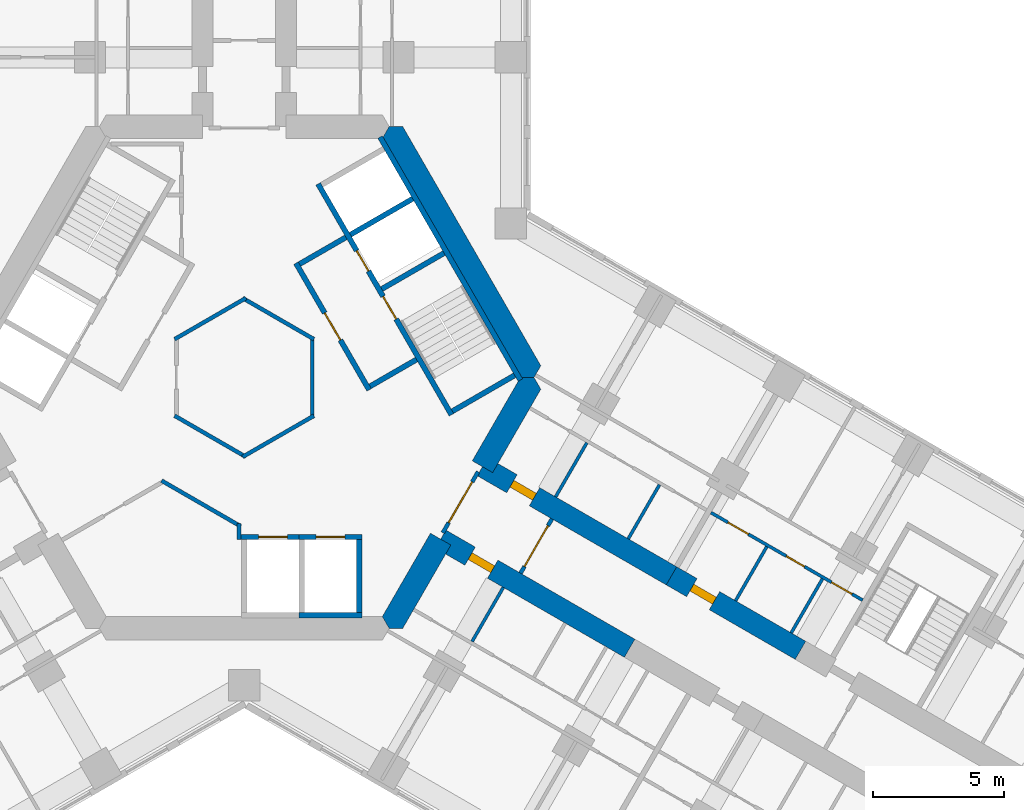
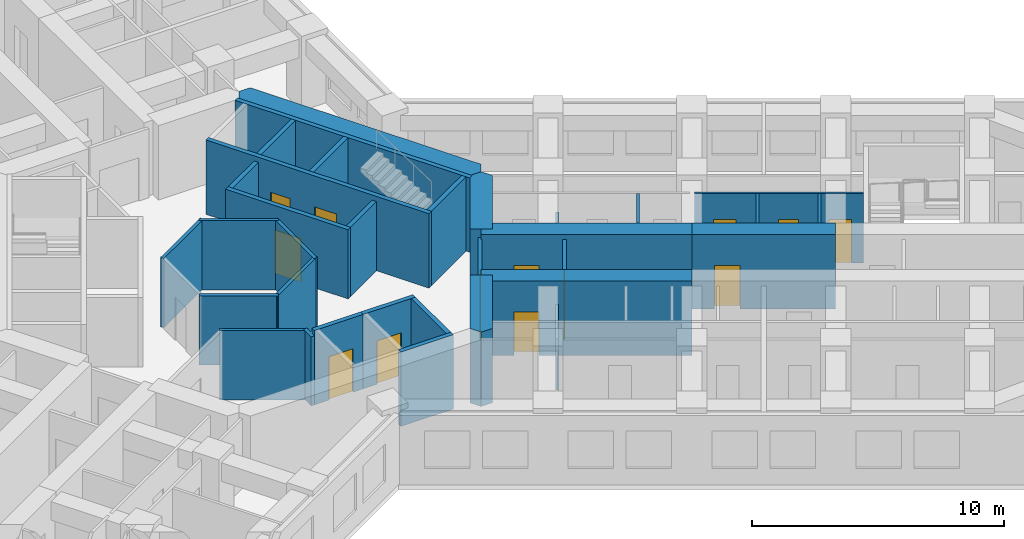
# One storey, part 15 of 20: 33 walls, 13 doors, 13 openings.
"""IFC4 building model written with IfcOpenShell, lengths in metres."""

from ifc_helpers import new_model, si_unit, direction, frame, frame_2d, origin, place, context, subcontext, project, spatial, polyline, rectangle, outline, extrude, material, layer, layer_set, type_object, element, fill, save


model = new_model("IFC4")

# Units and contexts
model_context = context("Model", 3, precision=1e-05, world=origin(), true_north=direction((0.0, 1.0)))
body_context = subcontext(model_context, "Body", "Model", "MODEL_VIEW")
ifc_project = project(units=[si_unit("LENGTHUNIT", "METRE"), si_unit("AREAUNIT", "SQUARE_METRE"), si_unit("VOLUMEUNIT", "CUBIC_METRE"), si_unit("PLANEANGLEUNIT", "RADIAN"), si_unit("MASSUNIT", "GRAM", prefix="KILO")], contexts=[model_context])

# Site, building, storey
site_placement = place(None, origin())
site = spatial("IfcSite", under=ifc_project, at=site_placement, CompositionType="ELEMENT")
building_placement = place(site_placement, origin())
building = spatial("IfcBuilding", under=site, at=building_placement, Name="Kosmar Iwan School Tower", CompositionType="ELEMENT")
storey_placement = place(building_placement, frame((0.0, 0.0, 127.39990234375)))
storey = spatial("IfcBuildingStorey", under=building, at=storey_placement, Name="L31", CompositionType="ELEMENT", Elevation=127.39990234375)

# Walls
ifc_material_1 = material(Name="Gypsum board on steel studs, fire-rated", Category="steel")
ifc_layer_1 = layer(ifc_material_1, 0.14990234375)
ifc_layer_set_1 = layer_set([ifc_layer_1], Name="Core room partition 150")
wall_type_1 = type_object("IfcWallType", Name="Core room partition 150", PredefinedType="PARTITIONING", material=ifc_layer_set_1)
wall_1_placement = place(storey_placement, frame((-3.1650390625, -3.9462890625, 0.0), z_axis=(0.0, 0.0, 1.0), x_axis=(0.866040335699, -0.499974136273, 0.0)))
element("IfcWall", 1, at=wall_1_placement, inside=storey, type_object=wall_type_1, Name="Core room partition L31-CW6", PredefinedType="PARTITIONING", context=body_context, shape_type="SweptSolid", body=[
    extrude(rectangle(XDim=3.498779296875, YDim=0.14990234375, at=frame_2d((1.74951171875, 0.0))), origin(), (0.0, 0.0, 1.0), 3.35009765625),
])
wall_2_placement = place(storey_placement, frame((-0.199951171875, -5.5830078125, 0.0), z_axis=(0.0, 0.0, 1.0), x_axis=(0.0, -1.0, 0.0)))
element("IfcWall", 2, at=wall_2_placement, inside=storey, type_object=wall_type_1, Name="Core room partition L31-CW7", PredefinedType="PARTITIONING", context=body_context, shape_type="SweptSolid", body=[
    extrude(rectangle(XDim=0.616943359375, YDim=0.14990234375, at=frame_2d((0.30859375, 0.0))), origin(), (0.0, 0.0, 1.0), 3.35009765625),
])
for number, where, z_axis, x_axis, name in (
    (3, (2.6650390625, -1.463623046875, 0.0), (0.0, 0.0, 1.0), (-0.866023080072, -0.500004024767, 0.0), "Core room partition L31-CW8"),
    (4, (0.06494140625, -3.039794921875, 0.0), (0.0, 0.0, 1.0), (-0.866023080072, 0.500004024767, 0.0), "Core room partition L31-CW9"),
    (5, (-2.6650390625, 1.463623046875, 0.0), (0.0, 0.0, 1.0), (0.866023080072, 0.500004024767, 0.0), "Core room partition L31-CW11"),
    (6, (-0.06494140625, 3.039794921875, 0.0), (0.0, 0.0, 1.0), (0.866023080072, -0.500004024767, 0.0), "Core room partition L31-CW12"),
    (7, (2.60009765625, 1.576171875, 0.0), (0.0, 0.0, 1.0), (0.0, -1.0, 0.0), "Core room partition L31-CW13"),
):
    element("IfcWall", number, at=place(storey_placement, frame(where, z_axis=z_axis, x_axis=x_axis)), inside=storey, type_object=wall_type_1, Name=name, PredefinedType="PARTITIONING", context=body_context, shape_type="SweptSolid", body=[
        extrude(rectangle(XDim=3.15234375, YDim=0.14990234375, at=frame_2d((1.576171875, 0.0))), origin(), (0.0, 0.0, 1.0), 3.35009765625),
    ])
ifc_material_2 = material(Name="Concrete C50/60", Category="concrete")
ifc_layer_2 = layer(ifc_material_2, 0.89990234375)
ifc_layer_set_2 = layer_set([ifc_layer_2], Name="Core wall 900")
wall_type_2 = type_object("IfcWallType", Name="Core wall 900", PredefinedType="SHEAR", material=ifc_layer_set_2)
wall_3_placement = place(storey_placement, origin())
element("IfcWall", 8, at=wall_3_placement, inside=storey, type_object=wall_type_2, Name="Core wall F030", PredefinedType="SHEAR", context=body_context, shape_type="SweptSolid", body=[
    extrude(outline(polyline([(10.5654296875, 0.0), (11.085205078125, 0.0), (11.344970703125, 0.449951171875), (6.062255859375, 9.60009765625), (5.54248046875, 9.60009765625), (5.28271484375, 9.14990234375), (10.5654296875, 0.0)])), origin(), (0.0, 0.0, 1.0), 3.60009765625),
])
wall_4_placement = place(storey_placement, origin())
element("IfcWall", 9, at=wall_4_placement, inside=storey, type_object=wall_type_2, Name="Core wall F330a", PredefinedType="SHEAR", context=body_context, shape_type="SweptSolid", body=[
    extrude(outline(polyline([(5.54248046875, -9.60009765625), (6.062255859375, -9.60009765625), (7.903564453125, -6.41064453125), (7.1240234375, -5.960693359375), (5.28271484375, -9.14990234375), (5.54248046875, -9.60009765625)])), origin(), (0.0, 0.0, 1.0), 3.60009765625),
])
wall_5_placement = place(storey_placement, origin())
element("IfcWall", 10, at=wall_5_placement, inside=storey, type_object=wall_type_2, Name="Core wall F330b", PredefinedType="SHEAR", context=body_context, shape_type="SweptSolid", body=[
    extrude(outline(polyline([(9.503662109375, -3.639404296875), (11.344970703125, -0.449951171875), (11.085205078125, 0.0), (10.5654296875, 0.0), (8.72412109375, -3.189453125), (9.503662109375, -3.639404296875)])), origin(), (0.0, 0.0, 1.0), 3.60009765625),
])

# Wall, opening, door
ifc_material_3 = material(Name="Concrete C50/60", Category="concrete")
ifc_layer_3 = layer(ifc_material_3, 0.800048828125)
ifc_layer_set_3 = layer_set([ifc_layer_3], Name="Corridor buttress wall 800")
wall_type_3 = type_object("IfcWallType", Name="Corridor buttress wall 800", PredefinedType="SHEAR", material=ifc_layer_set_3)
wall_6_placement = place(storey_placement, frame((9.11376953125, -3.414306640625, 0.0), z_axis=(0.0, 0.0, 1.0), x_axis=(0.866026859388, -0.499997478812, 0.0)))
wall_6 = element("IfcWall", 11, at=wall_6_placement, inside=storey, type_object=wall_type_3, Name="Corridor wall CL", PredefinedType="SHEAR", context=body_context, shape_type="SweptSolid", body=[
    extrude(rectangle(XDim=8.35009765625, YDim=0.800048828125, at=frame_2d((4.175048828125, 0.0))), origin(), (0.0, 0.0, 1.0), 3.60009765625),
])
opening_1_placement = place(wall_6_placement, frame((1.300048828125, 0.0, 0.0)))
opening_1 = element("IfcOpeningElement", 12, at=opening_1_placement, cuts=wall_6, Name="Opening D1", PredefinedType="OPENING", context=body_context, shape_type="SweptSolid", body=[
    extrude(rectangle(XDim=1.0, YDim=2.10009765625, at=frame_2d((0.5, 1.050048828125))), frame((0.0, 0.412109375, 0.0), z_axis=(0.0, -1.0, 0.0), x_axis=(1.0, 0.0, 0.0)), (0.0, 0.0, 1.0), 0.823974609375),
])
ifc_material_4 = material(Name="Timber fire door in steel frame", Category="steel")
door_type_1 = type_object("IfcDoorType", Name="Flat entrance door 1000x2100", OperationType="SINGLE_SWING_LEFT", PredefinedType="DOOR", material=ifc_material_4)
door_1_placement = place(opening_1_placement, origin())
door_1 = element("IfcDoor", 13, at=door_1_placement, inside=storey, type_object=door_type_1, Name="Flat L31-CL1 entrance door", OperationType="SINGLE_SWING_RIGHT", OverallHeight=2.10009765625, OverallWidth=1.0, PredefinedType="DOOR", context=body_context, shape_type="SweptSolid", body=[
    extrude(rectangle(XDim=1.0, YDim=2.10009765625, at=frame_2d((0.5, 1.050048828125))), frame((0.0, 0.14990234375, 0.0), z_axis=(0.0, -1.0, 0.0), x_axis=(1.0, 0.0, 0.0)), (0.0, 0.0, 1.0), 0.300048828125),
])
fill(opening_1, door_1)

wall_7_placement = place(storey_placement, frame((16.34521484375, -7.58935546875, 0.0), z_axis=(0.0, 0.0, 1.0), x_axis=(0.866015111908, -0.50001782563, 0.0)))
wall_7 = element("IfcWall", 14, at=wall_7_placement, inside=storey, type_object=wall_type_3, Name="Corridor wall CL bay 2", PredefinedType="SHEAR", context=body_context, shape_type="SweptSolid", body=[
    extrude(rectangle(XDim=5.699951171875, YDim=0.800048828125, at=frame_2d((2.85009765625, 0.0))), origin(), (0.0, 0.0, 1.0), 3.60009765625),
])
opening_2_placement = place(wall_7_placement, frame((0.89990234375, 0.0, 0.0)))
opening_2 = element("IfcOpeningElement", 15, at=opening_2_placement, cuts=wall_7, Name="Opening D1", PredefinedType="OPENING", context=body_context, shape_type="SweptSolid", body=[
    extrude(rectangle(XDim=1.0, YDim=2.10009765625, at=frame_2d((0.5, 1.050048828125))), frame((0.0, 0.412109375, 0.0), z_axis=(0.0, -1.0, 0.0), x_axis=(1.0, 0.0, 0.0)), (0.0, 0.0, 1.0), 0.823974609375),
])
door_2_placement = place(opening_2_placement, origin())
door_2 = element("IfcDoor", 16, at=door_2_placement, inside=storey, type_object=door_type_1, Name="Flat L31-CL2 entrance door", OperationType="SINGLE_SWING_RIGHT", OverallHeight=2.10009765625, OverallWidth=1.0, PredefinedType="DOOR", context=body_context, shape_type="SweptSolid", body=[
    extrude(rectangle(XDim=1.0, YDim=2.10009765625, at=frame_2d((0.5, 1.050048828125))), frame((0.0, 0.14990234375, 0.0), z_axis=(0.0, -1.0, 0.0), x_axis=(1.0, 0.0, 0.0)), (0.0, 0.0, 1.0), 0.300048828125),
])
fill(opening_2, door_2)

wall_8_placement = place(storey_placement, frame((7.513916015625, -6.185546875, 0.0), z_axis=(0.0, 0.0, 1.0), x_axis=(0.866019549707, -0.500010139422, 0.0)))
wall_8 = element("IfcWall", 17, at=wall_8_placement, inside=storey, type_object=wall_type_3, Name="Corridor wall CR", PredefinedType="SHEAR", context=body_context, shape_type="SweptSolid", body=[
    extrude(rectangle(XDim=8.349853515625, YDim=0.800048828125, at=frame_2d((4.1748046875, 0.0))), origin(), (0.0, 0.0, 1.0), 3.60009765625),
])
opening_3_placement = place(wall_8_placement, frame((1.300048828125, 0.0, 0.0)))
opening_3 = element("IfcOpeningElement", 18, at=opening_3_placement, cuts=wall_8, Name="Opening D1", PredefinedType="OPENING", context=body_context, shape_type="SweptSolid", body=[
    extrude(rectangle(XDim=1.0, YDim=2.10009765625, at=frame_2d((0.5, 1.050048828125))), frame((0.0, 0.412109375, 0.0), z_axis=(0.0, -1.0, 0.0), x_axis=(1.0, 0.0, 0.0)), (0.0, 0.0, 1.0), 0.823974609375),
])
door_3_placement = place(opening_3_placement, origin())
door_3 = element("IfcDoor", 19, at=door_3_placement, inside=storey, type_object=door_type_1, Name="Flat L31-CR1 entrance door", OperationType="SINGLE_SWING_RIGHT", OverallHeight=2.10009765625, OverallWidth=1.0, PredefinedType="DOOR", context=body_context, shape_type="SweptSolid", body=[
    extrude(rectangle(XDim=1.0, YDim=2.10009765625, at=frame_2d((0.5, 1.050048828125))), frame((0.0, 0.14990234375, 0.0), z_axis=(0.0, -1.0, 0.0), x_axis=(1.0, 0.0, 0.0)), (0.0, 0.0, 1.0), 0.300048828125),
])
fill(opening_3, door_3)

ifc_material_5 = material(Name="Gypsum board on steel studs, fire-rated", Category="steel")
ifc_layer_4 = layer(ifc_material_5, 0.14990234375)
ifc_layer_set_4 = layer_set([ifc_layer_4], Name="Corridor end wall 150")
wall_type_4 = type_object("IfcWallType", Name="Corridor end wall 150", PredefinedType="PARTITIONING", material=ifc_layer_set_4)
wall_9_placement = place(storey_placement, frame((10.57177734375, -7.4892578125, 0.0), z_axis=(0.0, 0.0, 1.0), x_axis=(0.499957262057, 0.866050077142, 0.0)))
wall_9 = element("IfcWall", 20, at=wall_9_placement, inside=storey, type_object=wall_type_4, Name="Partition L31-C-HW", PredefinedType="PARTITIONING", context=body_context, shape_type="SweptSolid", body=[
    extrude(rectangle(XDim=2.400146484375, YDim=0.14990234375, at=frame_2d((1.2001953125, 0.0))), origin(), (0.0, 0.0, 1.0), 3.35009765625),
])
opening_4_placement = place(wall_9_placement, frame((0.300048828125, 0.0, 0.0)))
opening_4 = element("IfcOpeningElement", 21, at=opening_4_placement, cuts=wall_9, Name="Opening D9", PredefinedType="OPENING", context=body_context, shape_type="SweptSolid", body=[
    extrude(rectangle(XDim=1.800048828125, YDim=2.10009765625, at=frame_2d((0.89990234375, 1.050048828125))), frame((0.0, 0.0869140625, 0.0), z_axis=(0.0, -1.0, 0.0), x_axis=(1.0, 0.0, 0.0)), (0.0, 0.0, 1.0), 0.173828125),
])
ifc_material_6 = material(Name="Steel framed glazed smoke door", Category="steel")
door_type_2 = type_object("IfcDoorType", Name="Corridor smoke door pair 1800x2100", OperationType="DOUBLE_DOOR_DOUBLE_SWING", PredefinedType="DOOR", material=ifc_material_6)
door_4_placement = place(opening_4_placement, origin())
door_4 = element("IfcDoor", 22, at=door_4_placement, inside=storey, type_object=door_type_2, Name="Hashti vestibule smoke doors L31-C", OperationType="DOUBLE_DOOR_DOUBLE_SWING", OverallHeight=2.10009765625, OverallWidth=1.800048828125, PredefinedType="DOOR", context=body_context, shape_type="SweptSolid", body=[
    extrude(rectangle(XDim=1.800048828125, YDim=2.10009765625, at=frame_2d((0.89990234375, 1.050048828125))), frame((0.0, 0.02490234375, 0.0), z_axis=(0.0, -1.0, 0.0), x_axis=(1.0, 0.0, 0.0)), (0.0, 0.0, 1.0), 0.050048828125),
])
fill(opening_4, door_4)

ifc_material_7 = material(Name="Steel framed glazed screen", Category="steel")
ifc_layer_5 = layer(ifc_material_7, 0.14990234375)
ifc_layer_set_5 = layer_set([ifc_layer_5], Name="Corridor screen wall 150")
wall_type_5 = type_object("IfcWallType", Name="Corridor screen wall 150", PredefinedType="PARTITIONING", material=ifc_layer_set_5)
wall_10_placement = place(storey_placement, frame((7.595458984375, -5.944091796875, 0.0), z_axis=(0.0, 0.0, 1.0), x_axis=(0.500048589285, 0.86599734893, 0.0)))
wall_10 = element("IfcWall", 23, at=wall_10_placement, inside=storey, type_object=wall_type_5, Name="Corridor screen C L31", PredefinedType="PARTITIONING", context=body_context, shape_type="SweptSolid", body=[
    extrude(rectangle(XDim=2.699951171875, YDim=0.14990234375, at=frame_2d((1.35009765625, 0.0))), origin(), (0.0, 0.0, 1.0), 3.35009765625),
])
opening_5_placement = place(wall_10_placement, frame((0.449951171875, 0.0, 0.0)))
opening_5 = element("IfcOpeningElement", 24, at=opening_5_placement, cuts=wall_10, Name="Opening D9", PredefinedType="OPENING", context=body_context, shape_type="SweptSolid", body=[
    extrude(rectangle(XDim=1.800048828125, YDim=2.10009765625, at=frame_2d((0.89990234375, 1.050048828125))), frame((0.0, 0.0869140625, 0.0), z_axis=(0.0, -1.0, 0.0), x_axis=(1.0, 0.0, 0.0)), (0.0, 0.0, 1.0), 0.173828125),
])
door_5_placement = place(opening_5_placement, origin())
door_5 = element("IfcDoor", 25, at=door_5_placement, inside=storey, type_object=door_type_2, Name="Corridor doors C L31", OperationType="DOUBLE_DOOR_DOUBLE_SWING", OverallHeight=2.10009765625, OverallWidth=1.800048828125, PredefinedType="DOOR", context=body_context, shape_type="SweptSolid", body=[
    extrude(rectangle(XDim=1.800048828125, YDim=2.10009765625, at=frame_2d((0.89990234375, 1.050048828125))), frame((0.0, 0.02490234375, 0.0), z_axis=(0.0, -1.0, 0.0), x_axis=(1.0, 0.0, 0.0)), (0.0, 0.0, 1.0), 0.050048828125),
])
fill(opening_5, door_5)

# Walls
ifc_material_8 = material(Name="Gypsum board on steel studs", Category="steel")
ifc_layer_6 = layer(ifc_material_8, 0.1201171875)
ifc_layer_set_6 = layer_set([ifc_layer_6], Name="Dwelling partition 120")
wall_type_6 = type_object("IfcWallType", Name="Dwelling partition 120", PredefinedType="PARTITIONING", material=ifc_layer_set_6)
wall_11_placement = place(storey_placement, frame((11.911865234375, -4.56787109375, 0.0), z_axis=(0.0, 0.0, 1.0), x_axis=(0.500017192868, 0.86601547725, 0.0)))
element("IfcWall", 26, at=wall_11_placement, inside=storey, type_object=wall_type_6, Name="Partition L31-CL1-Y1", PredefinedType="PARTITIONING", context=body_context, shape_type="SweptSolid", body=[
    extrude(rectangle(XDim=2.39013671875, YDim=0.1201171875, at=frame_2d((1.195068359375, 0.0))), origin(), (0.0, 0.0, 1.0), 2.4501953125),
])
wall_12_placement = place(storey_placement, frame((14.69189453125, -6.1728515625, 0.0), z_axis=(0.0, 0.0, 1.0), x_axis=(0.500017192868, 0.86601547725, 0.0)))
element("IfcWall", 27, at=wall_12_placement, inside=storey, type_object=wall_type_6, Name="Partition L31-CL1-Y2", PredefinedType="PARTITIONING", context=body_context, shape_type="SweptSolid", body=[
    extrude(rectangle(XDim=2.39013671875, YDim=0.1201171875, at=frame_2d((1.195068359375, 0.0))), origin(), (0.0, 0.0, 1.0), 3.35009765625),
])

# Wall, openings, doors
wall_13_placement = place(storey_placement, frame((17.856689453125, -5.171142578125, 0.0), z_axis=(0.0, 0.0, 1.0), x_axis=(0.866023571113, -0.500003174267, 0.0)))
wall_13 = element("IfcWall", 28, at=wall_13_placement, inside=storey, type_object=wall_type_6, Name="Partition L31-CL2-W1", PredefinedType="PARTITIONING", context=body_context, shape_type="SweptSolid", body=[
    extrude(rectangle(XDim=6.7001953125, YDim=0.1201171875, at=frame_2d((3.35009765625, 0.0))), origin(), (0.0, 0.0, 1.0), 3.35009765625),
])
opening_6_placement = place(wall_13_placement, frame((0.75, 0.0, 0.0)))
opening_6 = element("IfcOpeningElement", 29, at=opening_6_placement, cuts=wall_13, Name="Opening D2", PredefinedType="OPENING", context=body_context, shape_type="SweptSolid", body=[
    extrude(rectangle(XDim=0.89990234375, YDim=2.10009765625, at=frame_2d((0.449951171875, 1.050048828125))), frame((0.0, 0.072021484375, 0.0), z_axis=(0.0, -1.0, 0.0), x_axis=(1.0, 0.0, 0.0)), (0.0, 0.0, 1.0), 0.14404296875),
])
opening_7_placement = place(wall_13_placement, frame((3.330078125, 0.0, 0.0)))
opening_7 = element("IfcOpeningElement", 30, at=opening_7_placement, cuts=wall_13, Name="Opening D3", PredefinedType="OPENING", context=body_context, shape_type="SweptSolid", body=[
    extrude(rectangle(XDim=0.800048828125, YDim=2.10009765625, at=frame_2d((0.39990234375, 1.050048828125))), frame((0.0, 0.072021484375, 0.0), z_axis=(0.0, -1.0, 0.0), x_axis=(1.0, 0.0, 0.0)), (0.0, 0.0, 1.0), 0.14404296875),
])
opening_8_placement = place(wall_13_placement, frame((5.330078125, 0.0, 0.0)))
opening_8 = element("IfcOpeningElement", 31, at=opening_8_placement, cuts=wall_13, Name="Opening D2", PredefinedType="OPENING", context=body_context, shape_type="SweptSolid", body=[
    extrude(rectangle(XDim=0.89990234375, YDim=2.10009765625, at=frame_2d((0.449951171875, 1.050048828125))), frame((0.0, 0.072021484375, 0.0), z_axis=(0.0, -1.0, 0.0), x_axis=(1.0, 0.0, 0.0)), (0.0, 0.0, 1.0), 0.14404296875),
])
ifc_material_9 = material(Name="Timber door in timber frame", Category="wood")
door_type_3 = type_object("IfcDoorType", Name="Internal door 900x2100", OperationType="SINGLE_SWING_LEFT", PredefinedType="DOOR", material=ifc_material_9)
door_6_placement = place(opening_6_placement, origin())
door_6 = element("IfcDoor", 32, at=door_6_placement, inside=storey, type_object=door_type_3, Name="Entrance hall door L31-CL2-S1", OperationType="SINGLE_SWING_LEFT", OverallHeight=2.10009765625, OverallWidth=0.89990234375, PredefinedType="DOOR", context=body_context, shape_type="SweptSolid", body=[
    extrude(rectangle(XDim=0.89990234375, YDim=2.10009765625, at=frame_2d((0.449951171875, 1.050048828125))), frame((0.0, 0.02490234375, 0.0), z_axis=(0.0, -1.0, 0.0), x_axis=(1.0, 0.0, 0.0)), (0.0, 0.0, 1.0), 0.050048828125),
])
fill(opening_6, door_6)
door_7_placement = place(opening_8_placement, frame((0.89990234375, 0.0, 0.0), z_axis=(0.0, 0.0, 1.0), x_axis=(-1.0, 0.0, 0.0)))
door_7 = element("IfcDoor", 33, at=door_7_placement, inside=storey, type_object=door_type_3, Name="Pantry door L31-CL2-S3", OperationType="SINGLE_SWING_LEFT", OverallHeight=2.10009765625, OverallWidth=0.89990234375, PredefinedType="DOOR", context=body_context, shape_type="SweptSolid", body=[
    extrude(rectangle(XDim=0.89990234375, YDim=2.10009765625, at=frame_2d((0.449951171875, 1.050048828125))), frame((0.0, 0.02490234375, 0.0), z_axis=(0.0, -1.0, 0.0), x_axis=(1.0, 0.0, 0.0)), (0.0, 0.0, 1.0), 0.050048828125),
])
fill(opening_8, door_7)
ifc_material_10 = material(Name="Timber door in timber frame", Category="wood")
door_type_4 = type_object("IfcDoorType", Name="Sanitary room door 800x2100", OperationType="SINGLE_SWING_LEFT", PredefinedType="DOOR", material=ifc_material_10)
door_8_placement = place(opening_7_placement, origin())
door_8 = element("IfcDoor", 34, at=door_8_placement, inside=storey, type_object=door_type_4, Name="Bathroom door L31-CL2-S2", OperationType="SINGLE_SWING_RIGHT", OverallHeight=2.10009765625, OverallWidth=0.800048828125, PredefinedType="DOOR", context=body_context, shape_type="SweptSolid", body=[
    extrude(rectangle(XDim=0.800048828125, YDim=2.10009765625, at=frame_2d((0.39990234375, 1.050048828125))), frame((0.0, 0.02490234375, 0.0), z_axis=(0.0, -1.0, 0.0), x_axis=(1.0, 0.0, 0.0)), (0.0, 0.0, 1.0), 0.050048828125),
])
fill(opening_7, door_8)

# Walls
for number, where, z_axis, x_axis, name in (
    (35, (18.796875, -8.54296875, 0.0), (0.0, 0.0, 1.0), (0.500017192868, 0.86601547725, 0.0), "Partition L31-CL2-Y1"),
    (36, (20.92724609375, -9.77294921875, 0.0), (0.0, 0.0, 1.0), (0.500017192868, 0.86601547725, 0.0), "Partition L31-CL2-Y2"),
):
    element("IfcWall", number, at=place(storey_placement, frame(where, z_axis=z_axis, x_axis=x_axis)), inside=storey, type_object=wall_type_6, Name=name, PredefinedType="PARTITIONING", context=body_context, shape_type="SweptSolid", body=[
        extrude(rectangle(XDim=2.39013671875, YDim=0.1201171875, at=frame_2d((1.195068359375, 0.0))), origin(), (0.0, 0.0, 1.0), 3.35009765625),
    ])
wall_14_placement = place(storey_placement, frame((9.911865234375, -8.031982421875, 0.0), z_axis=(0.0, 0.0, 1.0), x_axis=(-0.500017192868, -0.86601547725, 0.0)))
element("IfcWall", 37, at=wall_14_placement, inside=storey, type_object=wall_type_6, Name="Partition L31-CR1-Y1", PredefinedType="PARTITIONING", context=body_context, shape_type="SweptSolid", body=[
    extrude(rectangle(XDim=2.39013671875, YDim=0.1201171875, at=frame_2d((1.195068359375, 0.0))), origin(), (0.0, 0.0, 1.0), 2.4501953125),
])

# Wall, opening, door
ifc_material_11 = material(Name="Concrete block masonry", Category="masonry")
ifc_layer_7 = layer(ifc_material_11, 0.199951171875)
ifc_layer_set_7 = layer_set([ifc_layer_7], Name="Fire lobby wall 200")
wall_type_7 = type_object("IfcWallType", Name="Fire lobby wall 200", PredefinedType="PARTITIONING", material=ifc_layer_set_7)
wall_15_placement = place(storey_placement, frame((4.777587890625, -0.474853515625, 0.0), z_axis=(0.0, 0.0, 1.0), x_axis=(-0.500016814911, 0.866015695474, 0.0)))
wall_15 = element("IfcWall", 38, at=wall_15_placement, inside=storey, type_object=wall_type_7, Name="Firefighting lobby wall ST1", PredefinedType="PARTITIONING", context=body_context, shape_type="SweptSolid", body=[
    extrude(rectangle(XDim=5.599853515625, YDim=0.199951171875, at=frame_2d((2.7998046875, 0.0))), origin(), (0.0, 0.0, 1.0), 3.35009765625),
])
opening_9_placement = place(wall_15_placement, frame((2.199951171875, 0.0, 0.0)))
opening_9 = element("IfcOpeningElement", 39, at=opening_9_placement, cuts=wall_15, Name="Opening D7", PredefinedType="OPENING", context=body_context, shape_type="SweptSolid", body=[
    extrude(rectangle(XDim=1.199951171875, YDim=2.10009765625, at=frame_2d((0.60009765625, 1.050048828125))), frame((0.0, 0.112060546875, 0.0), z_axis=(0.0, -1.0, 0.0), x_axis=(1.0, 0.0, 0.0)), (0.0, 0.0, 1.0), 0.223876953125),
])
ifc_material_12 = material(Name="Steel fire door", Category="steel")
door_type_5 = type_object("IfcDoorType", Name="Fire lobby door 1200x2100", OperationType="SINGLE_SWING_LEFT", PredefinedType="DOOR", material=ifc_material_12)
door_9_placement = place(opening_9_placement, frame((1.199951171875, 0.0, 0.0), z_axis=(0.0, 0.0, 1.0), x_axis=(-1.0, 0.0, 0.0)))
door_9 = element("IfcDoor", 40, at=door_9_placement, inside=storey, type_object=door_type_5, Name="Firefighting lobby door ST1 L31", OperationType="SINGLE_SWING_RIGHT", OverallHeight=2.10009765625, OverallWidth=1.199951171875, PredefinedType="DOOR", context=body_context, shape_type="SweptSolid", body=[
    extrude(rectangle(XDim=1.199951171875, YDim=2.10009765625, at=frame_2d((0.60009765625, 1.050048828125))), frame((0.0, 0.02490234375, 0.0), z_axis=(0.0, -1.0, 0.0), x_axis=(1.0, 0.0, 0.0)), (0.0, 0.0, 1.0), 0.050048828125),
])
fill(opening_9, door_9)

# Walls
wall_16_placement = place(storey_placement, frame((4.814208984375, -0.33837890625, 0.0), z_axis=(0.0, 0.0, 1.0), x_axis=(0.865969381856, 0.500097020274, 0.0)))
element("IfcWall", 41, at=wall_16_placement, inside=storey, type_object=wall_type_7, Name="Firefighting lobby wall ST1", PredefinedType="PARTITIONING", context=body_context, shape_type="SweptSolid", body=[
    extrude(rectangle(XDim=2.0498046875, YDim=0.199951171875, at=frame_2d((1.02490234375, 0.0))), origin(), (0.0, 0.0, 1.0), 3.35009765625),
])
wall_17_placement = place(storey_placement, frame((2.114013671875, 4.33837890625, 0.0), z_axis=(0.0, 0.0, 1.0), x_axis=(0.866050731258, 0.499956128963, 0.0)))
element("IfcWall", 42, at=wall_17_placement, inside=storey, type_object=wall_type_7, Name="Firefighting lobby wall ST1", PredefinedType="PARTITIONING", context=body_context, shape_type="SweptSolid", body=[
    extrude(rectangle(XDim=2.050048828125, YDim=0.199951171875, at=frame_2d((1.02490234375, 0.0))), origin(), (0.0, 0.0, 1.0), 3.35009765625),
])

# Wall, openings, doors
ifc_material_13 = material(Name="Concrete C50/60", Category="concrete")
ifc_layer_8 = layer(ifc_material_13, 0.199951171875)
ifc_layer_set_8 = layer_set([ifc_layer_8], Name="Lift shaft wall 200")
wall_type_8 = type_object("IfcWallType", Name="Lift shaft wall 200", PredefinedType="SHEAR", material=ifc_layer_set_8)
wall_18_placement = place(storey_placement, frame((7.926025390625, -1.42822265625, 0.0), z_axis=(0.0, 0.0, 1.0), x_axis=(-0.499998023675, 0.866026544813, 0.0)))
wall_18 = element("IfcWall", 43, at=wall_18_placement, inside=storey, type_object=wall_type_8, Name="Lift and stair front wall AC", PredefinedType="SHEAR", context=body_context, shape_type="SweptSolid", body=[
    extrude(rectangle(XDim=10.19970703125, YDim=0.199951171875, at=frame_2d((5.099853515625, 0.0))), origin(), (0.0, 0.0, 1.0), 3.60009765625),
])
opening_10_placement = place(wall_18_placement, frame((6.35009765625, 0.0, 0.0)))
opening_10 = element("IfcOpeningElement", 44, at=opening_10_placement, cuts=wall_18, Name="Opening LD2", PredefinedType="OPENING", context=body_context, shape_type="SweptSolid", body=[
    extrude(rectangle(XDim=0.89990234375, YDim=2.10009765625, at=frame_2d((0.449951171875, 1.050048828125))), frame((0.0, 0.112060546875, 0.0), z_axis=(0.0, -1.0, 0.0), x_axis=(1.0, 0.0, 0.0)), (0.0, 0.0, 1.0), 0.223876953125),
])
opening_11_placement = place(wall_18_placement, frame((4.22998046875, 0.0, 0.0)))
opening_11 = element("IfcOpeningElement", 45, at=opening_11_placement, cuts=wall_18, Name="Opening D6", PredefinedType="OPENING", context=body_context, shape_type="SweptSolid", body=[
    extrude(rectangle(XDim=1.0, YDim=2.10009765625, at=frame_2d((0.5, 1.050048828125))), frame((0.0, 0.112060546875, 0.0), z_axis=(0.0, -1.0, 0.0), x_axis=(1.0, 0.0, 0.0)), (0.0, 0.0, 1.0), 0.223876953125),
])
ifc_material_14 = material(Name="Stainless steel sliding lift door", Category="steel")
door_type_6 = type_object("IfcDoorType", Name="Firefighting lift landing door 900x2100", OperationType="SLIDING_TO_LEFT", PredefinedType="DOOR", material=ifc_material_14)
door_10_placement = place(opening_10_placement, origin())
door_10 = element("IfcDoor", 46, at=door_10_placement, inside=storey, type_object=door_type_6, Name="Lift FF1 landing door L31", OperationType="SLIDING_TO_LEFT", OverallHeight=2.10009765625, OverallWidth=0.89990234375, PredefinedType="DOOR", context=body_context, shape_type="SweptSolid", body=[
    extrude(rectangle(XDim=0.89990234375, YDim=2.10009765625, at=frame_2d((0.449951171875, 1.050048828125))), frame((0.0, 0.02490234375, 0.0), z_axis=(0.0, -1.0, 0.0), x_axis=(1.0, 0.0, 0.0)), (0.0, 0.0, 1.0), 0.050048828125),
])
fill(opening_10, door_10)
ifc_material_15 = material(Name="Steel fire door", Category="steel")
door_type_7 = type_object("IfcDoorType", Name="Stair door 1000x2100", OperationType="SINGLE_SWING_LEFT", PredefinedType="DOOR", material=ifc_material_15)
door_11_placement = place(opening_11_placement, origin())
door_11 = element("IfcDoor", 47, at=door_11_placement, inside=storey, type_object=door_type_7, Name="Stair ST1 door L31", OperationType="SINGLE_SWING_LEFT", OverallHeight=2.10009765625, OverallWidth=1.0, PredefinedType="DOOR", context=body_context, shape_type="SweptSolid", body=[
    extrude(rectangle(XDim=1.0, YDim=2.10009765625, at=frame_2d((0.5, 1.050048828125))), frame((0.0, 0.02490234375, 0.0), z_axis=(0.0, -1.0, 0.0), x_axis=(1.0, 0.0, 0.0)), (0.0, 0.0, 1.0), 0.050048828125),
])
fill(opening_11, door_11)

# Walls
wall_19_placement = place(storey_placement, frame((10.5654296875, -0.10009765625, 0.0), z_axis=(0.0, 0.0, 1.0), x_axis=(-0.499999935134, 0.866025441235, 0.0)))
element("IfcWall", 48, at=wall_19_placement, inside=storey, type_object=wall_type_8, Name="Lift and stair back wall AC", PredefinedType="SHEAR", context=body_context, shape_type="SweptSolid", body=[
    extrude(rectangle(XDim=10.73876953125, YDim=0.199951171875, at=frame_2d((5.369384765625, 0.0))), origin(), (0.0, 0.0, 1.0), 3.60009765625),
])
wall_20_placement = place(storey_placement, frame((4.062744140625, 5.46337890625, 0.0), z_axis=(0.0, 0.0, 1.0), x_axis=(0.866027397988, 0.499996545922, 0.0)))
element("IfcWall", 49, at=wall_20_placement, inside=storey, type_object=wall_type_8, Name="Lift shaft wall AC 1", PredefinedType="SHEAR", context=body_context, shape_type="SweptSolid", body=[
    extrude(rectangle(XDim=2.75, YDim=0.199951171875, at=frame_2d((1.375, 0.0))), origin(), (0.0, 0.0, 1.0), 3.60009765625),
])

# Wall, opening, door
wall_21_placement = place(storey_placement, frame((-0.125, -6.10009765625, 0.0), z_axis=(0.0, 0.0, 1.0), x_axis=(1.0, 0.0, 0.0)))
wall_21 = element("IfcWall", 50, at=wall_21_placement, inside=storey, type_object=wall_type_8, Name="Lift and stair front wall BC", PredefinedType="SHEAR", context=body_context, shape_type="SweptSolid", body=[
    extrude(rectangle(XDim=2.22509765625, YDim=0.199951171875, at=frame_2d((1.112548828125, 0.0))), origin(), (0.0, 0.0, 1.0), 3.60009765625),
])
opening_12_placement = place(wall_21_placement, frame((0.675048828125, 0.0, 0.0)))
opening_12 = element("IfcOpeningElement", 51, at=opening_12_placement, cuts=wall_21, Name="Opening LD1", PredefinedType="OPENING", context=body_context, shape_type="SweptSolid", body=[
    extrude(rectangle(XDim=1.10009765625, YDim=2.10009765625, at=frame_2d((0.550048828125, 1.050048828125))), frame((0.0, 0.112060546875, 0.0), z_axis=(0.0, -1.0, 0.0), x_axis=(1.0, 0.0, 0.0)), (0.0, 0.0, 1.0), 0.223876953125),
])
ifc_material_16 = material(Name="Stainless steel sliding lift door", Category="steel")
door_type_8 = type_object("IfcDoorType", Name="Lift landing door 1100x2100", OperationType="SLIDING_TO_LEFT", PredefinedType="DOOR", material=ifc_material_16)
door_12_placement = place(opening_12_placement, origin())
door_12 = element("IfcDoor", 52, at=door_12_placement, inside=storey, type_object=door_type_8, Name="Lift PL3 landing door L31", OperationType="SLIDING_TO_LEFT", OverallHeight=2.10009765625, OverallWidth=1.10009765625, PredefinedType="DOOR", context=body_context, shape_type="SweptSolid", body=[
    extrude(rectangle(XDim=1.10009765625, YDim=2.10009765625, at=frame_2d((0.550048828125, 1.050048828125))), frame((0.0, 0.02490234375, 0.0), z_axis=(0.0, -1.0, 0.0), x_axis=(1.0, 0.0, 0.0)), (0.0, 0.0, 1.0), 0.050048828125),
])
fill(opening_12, door_12)

wall_22_placement = place(storey_placement, frame((2.10009765625, -6.10009765625, 0.0), z_axis=(0.0, 0.0, 1.0), x_axis=(1.0, 0.0, 0.0)))
wall_22 = element("IfcWall", 53, at=wall_22_placement, inside=storey, type_object=wall_type_8, Name="Lift and stair front wall BC", PredefinedType="SHEAR", context=body_context, shape_type="SweptSolid", body=[
    extrude(rectangle(XDim=2.39990234375, YDim=0.199951171875, at=frame_2d((1.199951171875, 0.0))), origin(), (0.0, 0.0, 1.0), 3.60009765625),
])
opening_13_placement = place(wall_22_placement, frame((0.64990234375, 0.0, 0.0)))
opening_13 = element("IfcOpeningElement", 54, at=opening_13_placement, cuts=wall_22, Name="Opening LD1", PredefinedType="OPENING", context=body_context, shape_type="SweptSolid", body=[
    extrude(rectangle(XDim=1.10009765625, YDim=2.10009765625, at=frame_2d((0.550048828125, 1.050048828125))), frame((0.0, 0.112060546875, 0.0), z_axis=(0.0, -1.0, 0.0), x_axis=(1.0, 0.0, 0.0)), (0.0, 0.0, 1.0), 0.223876953125),
])
door_13_placement = place(opening_13_placement, origin())
door_13 = element("IfcDoor", 55, at=door_13_placement, inside=storey, type_object=door_type_8, Name="Lift PL4 landing door L31", OperationType="SLIDING_TO_LEFT", OverallHeight=2.10009765625, OverallWidth=1.10009765625, PredefinedType="DOOR", context=body_context, shape_type="SweptSolid", body=[
    extrude(rectangle(XDim=1.10009765625, YDim=2.10009765625, at=frame_2d((0.550048828125, 1.050048828125))), frame((0.0, 0.02490234375, 0.0), z_axis=(0.0, -1.0, 0.0), x_axis=(1.0, 0.0, 0.0)), (0.0, 0.0, 1.0), 0.050048828125),
])
fill(opening_13, door_13)

# Walls
wall_23_placement = place(storey_placement, frame((2.10009765625, -9.10009765625, 0.0), z_axis=(0.0, 0.0, 1.0), x_axis=(1.0, 0.0, 0.0)))
element("IfcWall", 56, at=wall_23_placement, inside=storey, type_object=wall_type_8, Name="Lift and stair back wall BC", PredefinedType="SHEAR", context=body_context, shape_type="SweptSolid", body=[
    extrude(rectangle(XDim=2.39990234375, YDim=0.199951171875, at=frame_2d((1.199951171875, 0.0))), origin(), (0.0, 0.0, 1.0), 3.60009765625),
])
wall_24_placement = place(storey_placement, frame((4.39990234375, -6.199951171875, 0.0), z_axis=(0.0, 0.0, 1.0), x_axis=(0.0, -1.0, 0.0)))
element("IfcWall", 57, at=wall_24_placement, inside=storey, type_object=wall_type_8, Name="Lift shaft wall BC 2", PredefinedType="SHEAR", context=body_context, shape_type="SweptSolid", body=[
    extrude(rectangle(XDim=2.800048828125, YDim=0.199951171875, at=frame_2d((1.39990234375, 0.0))), origin(), (0.0, 0.0, 1.0), 3.60009765625),
])
ifc_material_17 = material(Name="Concrete C50/60", Category="concrete")
ifc_layer_9 = layer(ifc_material_17, 0.199951171875)
ifc_layer_set_9 = layer_set([ifc_layer_9], Name="Stair enclosure wall 200")
wall_type_9 = type_object("IfcWallType", Name="Stair enclosure wall 200", PredefinedType="SHEAR", material=ifc_layer_set_9)
for number, where, z_axis, x_axis, name in (
    (58, (7.962646484375, -1.291748046875, 0.0), (0.0, 0.0, 1.0), (0.866027397988, 0.499996545922, 0.0), "Stair ST1 wall"),
    (59, (5.2626953125, 3.384765625, 0.0), (0.0, 0.0, 1.0), (0.866027397988, 0.499996545922, 0.0), "Stair ST1 wall"),
):
    element("IfcWall", number, at=place(storey_placement, frame(where, z_axis=z_axis, x_axis=x_axis)), inside=storey, type_object=wall_type_9, Name=name, PredefinedType="SHEAR", context=body_context, shape_type="SweptSolid", body=[
        extrude(rectangle(XDim=2.75, YDim=0.199951171875, at=frame_2d((1.375, 0.0))), origin(), (0.0, 0.0, 1.0), 3.60009765625),
    ])

save(model, "model.ifc")
